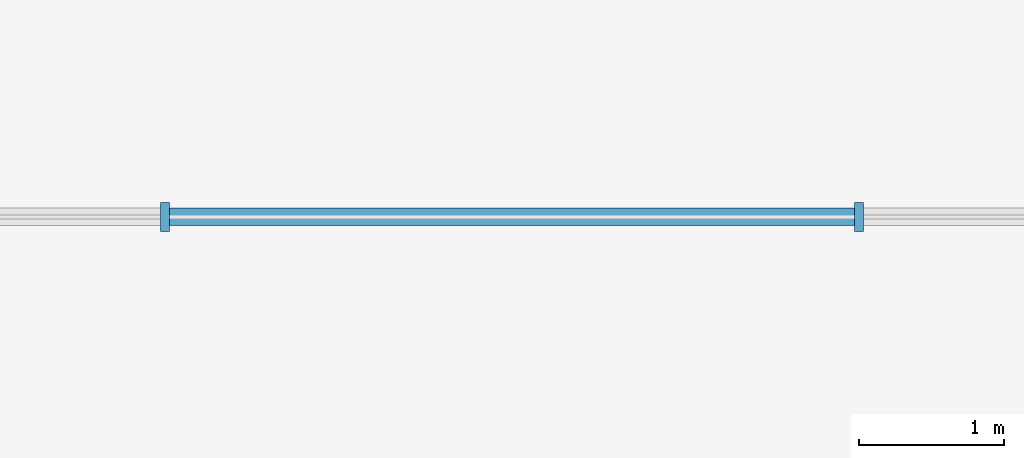
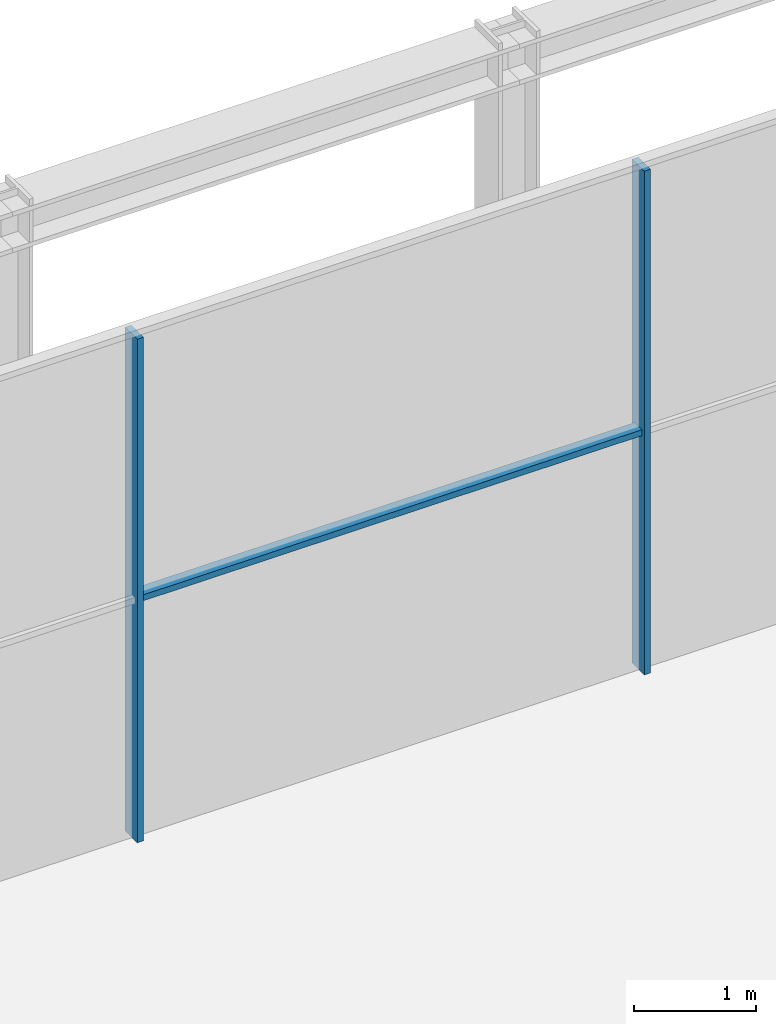
# One storey, part 12 of 26: 3 members, 1 element without a shape of its own.
"""IFC4 building model written with IfcOpenShell, lengths in metres."""

import ifcopenshell
import ifcopenshell.guid

model = None  # the IFC model being written
_history = None  # IfcOwnerHistory: only IFC2X3 demands one
_inside = {}  # id of a spatial element -> (the spatial element, [elements in it])
_under = {}  # id of a project, library or spatial element -> (it, [spatial elements below it])
_declared = {}  # id of a project -> (the project, [libraries it declares])
_typed = {}  # id of a type object -> (the type object, [elements of that type])
_made_of = {}  # id of a material, layer set ... -> (it, [elements and type objects made of it])


def new_model(schema):
    """Start an empty IFC model of exactly this schema.

    Asked for "IFC4X3", IfcOpenShell would pick the latest addendum, in which some entities
    have other attributes; the version numbers below select the first issue.
    IFC2X3 requires an IfcOwnerHistory on every rooted entity: one is made here for all.
    """
    global model, _history
    if schema == "IFC4X3":
        model = ifcopenshell.file(schema_version=(4, 3, 0, 0))
    else:
        model = ifcopenshell.file(schema=schema)
    _inside.clear()
    _under.clear()
    _declared.clear()
    _typed.clear()
    _made_of.clear()
    _history = None
    if model.schema == "IFC2X3":
        org = make("IfcOrganization", Name="unknown")
        user = make(
            "IfcPersonAndOrganization",
            ThePerson=make("IfcPerson", FamilyName="unknown"),
            TheOrganization=org,
        )
        app = make(
            "IfcApplication",
            ApplicationDeveloper=org,
            Version="unknown",
            ApplicationFullName="unknown",
            ApplicationIdentifier="unknown",
        )
        _history = make(
            "IfcOwnerHistory",
            OwningUser=user,
            OwningApplication=app,
            ChangeAction="ADDED",
            CreationDate=0,
        )
    return model


def make(cls, **values):
    """One entity of the class cls with the attributes given. An attribute that is None is left unset."""
    return model.create_entity(
        cls, **{name: value for name, value in values.items() if value is not None}
    )


def rooted(cls, **values):
    """An entity with a GlobalId (a new one), such as an element, a storey or a relation."""
    return make(cls, GlobalId=ifcopenshell.guid.new(), OwnerHistory=_history, **values)


def si_unit(unit_type, name, prefix=None):
    """IfcSIUnit, for example si_unit("LENGTHUNIT", "METRE", prefix="MILLI")."""
    return make("IfcSIUnit", UnitType=unit_type, Prefix=prefix, Name=name)


def assignment(units):
    """IfcUnitAssignment: the units of a project."""
    return None if units is None else make("IfcUnitAssignment", Units=units)


def point(xyz):
    """IfcCartesianPoint."""
    return None if xyz is None else make("IfcCartesianPoint", Coordinates=xyz)


def direction(xyz):
    """IfcDirection."""
    return None if xyz is None else make("IfcDirection", DirectionRatios=xyz)


def frame(location, z_axis=None, x_axis=None):
    """IfcAxis2Placement3D, a coordinate frame: its origin and axes. An axis left out is left unset."""
    return make(
        "IfcAxis2Placement3D",
        Location=point(location),
        Axis=direction(z_axis),
        RefDirection=direction(x_axis),
    )


def frame_2d(location, x_axis=None):
    """IfcAxis2Placement2D, a coordinate frame in the plane: its origin and x axis."""
    return make(
        "IfcAxis2Placement2D", Location=point(location), RefDirection=direction(x_axis)
    )


def origin():
    """The frame at (0, 0, 0) with its axes left unset."""
    return frame((0.0, 0.0, 0.0))


def origin_2d():
    """The frame at (0, 0) in the plane with its x axis left unset."""
    return frame_2d((0.0, 0.0))


def place(relative_to, where):
    """IfcLocalPlacement: puts the frame where relative to a parent placement (None: the world)."""
    return make(
        "IfcLocalPlacement", PlacementRelTo=relative_to, RelativePlacement=where
    )


def context(
    kind, dimensions, precision=None, world=None, true_north=None, identifier=None
):
    """IfcGeometricRepresentationContext, for example the 3D "Model" context."""
    return make(
        "IfcGeometricRepresentationContext",
        ContextIdentifier=identifier,
        ContextType=kind,
        CoordinateSpaceDimension=dimensions,
        Precision=precision,
        WorldCoordinateSystem=world,
        TrueNorth=true_north,
    )


def subcontext(parent, identifier, kind, view, scale=None):
    """IfcGeometricRepresentationSubContext, for example "Body" below "Model"."""
    return make(
        "IfcGeometricRepresentationSubContext",
        ContextIdentifier=identifier,
        ContextType=kind,
        ParentContext=parent,
        TargetScale=scale,
        TargetView=view,
    )


def project(units=None, contexts=None):
    """IfcProject with its units and contexts."""
    return rooted(
        "IfcProject",
        Name="project",
        RepresentationContexts=contexts,
        UnitsInContext=assignment(units),
    )


def spatial(cls, under=None, at=None, **own):
    """A site, building, storey or space (cls), placed at a placement, below another one or the project."""
    s = rooted(cls, ObjectPlacement=at, **own)
    if under is not None:
        _under.setdefault(under.id(), (under, []))[1].append(s)
    return s


def profile(cls, at=None, kind="AREA", **sizes):
    """A parametric profile (cls). Its sizes go by their IFC names, for example OverallWidth=200.0."""
    return make(cls, ProfileType=kind, Position=at, **sizes)


def rectangle(**sizes):
    """IfcRectangleProfileDef."""
    return profile("IfcRectangleProfileDef", **sizes)


def extrude(swept, where, along, depth):
    """IfcExtrudedAreaSolid: the profile swept, set in the frame where, extruded along a direction by depth."""
    return make(
        "IfcExtrudedAreaSolid",
        SweptArea=swept,
        Position=where,
        ExtrudedDirection=direction(along),
        Depth=depth,
    )


def shape(context_of_items, identifier, shape_type, items):
    """IfcShapeRepresentation: the items that make up one representation, for example the "Body"."""
    return make(
        "IfcShapeRepresentation",
        ContextOfItems=context_of_items,
        RepresentationIdentifier=identifier,
        RepresentationType=shape_type,
        Items=items,
    )


def material(Name=None, Category=None):
    """IfcMaterial."""
    return make("IfcMaterial", Name=Name, Category=Category)


def layer(
    of_material, thickness, ventilated=None, Name=None, Category=None, Priority=None
):
    """IfcMaterialLayer: one layer of a wall or slab, of a material (None: an air gap)."""
    return make(
        "IfcMaterialLayer",
        Material=of_material,
        LayerThickness=thickness,
        IsVentilated=ventilated,
        Name=Name,
        Category=Category,
        Priority=Priority,
    )


def layer_set(layers, Name=None):
    """IfcMaterialLayerSet."""
    return make("IfcMaterialLayerSet", MaterialLayers=layers, LayerSetName=Name)


def material_profile(
    of_material, cross_section, Name=None, Category=None, Priority=None
):
    """IfcMaterialProfile: a cross section and its material."""
    return make(
        "IfcMaterialProfile",
        Name=Name,
        Material=of_material,
        Profile=cross_section,
        Priority=Priority,
        Category=Category,
    )


def profile_set(profiles, Name=None, composite=None):
    """IfcMaterialProfileSet."""
    return make(
        "IfcMaterialProfileSet",
        Name=Name,
        MaterialProfiles=profiles,
        CompositeProfile=composite,
    )


def made_of(thing, what):
    """Note that an element or type object is made of a material, layer set ...; save() writes the relation."""
    if what is not None:
        _made_of.setdefault(what.id(), (what, []))[1].append(thing)
    return thing


def type_object(cls, material=None, **own):
    """A type object (cls), such as IfcWallType, which elements share."""
    return made_of(rooted(cls, **own), material)


def element(
    cls,
    number,
    at=None,
    inside=None,
    cuts=None,
    type_object=None,
    material=None,
    context=None,
    identifier="Body",
    shape_type=None,
    held_by="IfcProductDefinitionShape",
    body=None,
    shapes=None,
    **own,
):
    """One element of the class cls, such as IfcWall. Its Tag is "e" and its number.

    at: its placement. inside: the storey or other place that contains it. cuts: it is an
    opening in that element (IfcRelVoidsElement). A single representation is given by context,
    identifier, shape_type and body (its items); several are given by shapes. held_by: the class
    of the entity that holds the representations. save() writes the other relations.
    """
    e = rooted(cls, Tag="e%d" % number, ObjectPlacement=at, **own)
    if body is not None:
        shapes = [shape(context, identifier, shape_type, body)]
    if shapes is not None:
        e.Representation = make(held_by, Representations=shapes)
    if inside is not None:
        _inside.setdefault(inside.id(), (inside, []))[1].append(e)
    if cuts is not None:
        rooted(
            "IfcRelVoidsElement", RelatingBuildingElement=cuts, RelatedOpeningElement=e
        )
    if type_object is not None:
        _typed.setdefault(type_object.id(), (type_object, []))[1].append(e)
    return made_of(e, material)


def aggregate(whole, parts):
    """IfcRelAggregates: a whole, such as a stair, and the parts it consists of."""
    return rooted("IfcRelAggregates", RelatingObject=whole, RelatedObjects=parts)


def save(model, path):
    """Write the relations noted so far, then the file.

    IfcRelAggregates (storeys below a building ...), IfcRelContainedInSpatialStructure (elements
    in a storey), IfcRelDefinesByType, IfcRelAssociatesMaterial and IfcRelDeclares: one each for
    every whole, place, type object, material and project.
    """
    for whole, parts in _under.values():
        aggregate(whole, parts)
    for where, things in _inside.values():
        rooted(
            "IfcRelContainedInSpatialStructure",
            RelatedElements=things,
            RelatingStructure=where,
        )
    for kind, things in _typed.values():
        rooted("IfcRelDefinesByType", RelatedObjects=things, RelatingType=kind)
    for what, things in _made_of.values():
        rooted("IfcRelAssociatesMaterial", RelatedObjects=things, RelatingMaterial=what)
    for by, libraries in _declared.values():
        rooted("IfcRelDeclares", RelatingContext=by, RelatedDefinitions=libraries)
    model.write(path)


model = new_model("IFC4")

# Units and contexts
model_context = context("Model", 3, precision=1e-05, world=origin(), true_north=direction((0.0, 1.0)))
body_context = subcontext(model_context, "Body", "Model", "MODEL_VIEW")
ifc_project = project(units=[si_unit("LENGTHUNIT", "METRE"), si_unit("AREAUNIT", "SQUARE_METRE"), si_unit("VOLUMEUNIT", "CUBIC_METRE"), si_unit("PLANEANGLEUNIT", "RADIAN"), si_unit("MASSUNIT", "GRAM", prefix="KILO")], contexts=[model_context])

# Site, building, storey
site_placement = place(None, origin())
site = spatial("IfcSite", under=ifc_project, at=site_placement, CompositionType="ELEMENT")
building_placement = place(site_placement, origin())
building = spatial("IfcBuilding", under=site, at=building_placement, Name="Madar Terraces", CompositionType="ELEMENT")
storey_placement = place(building_placement, frame((0.0, 0.0, 233.300048828125)))
storey = spatial("IfcBuildingStorey", under=building, at=storey_placement, Name="L61", CompositionType="ELEMENT", Elevation=233.300048828125)

# Curtain wall, members
ifc_material_1 = material(Name="Glass, ceramic frit dark grey, with black aluminium frame", Category="aluminium")
ifc_layer = layer(ifc_material_1, 0.199951171875)
ifc_layer_set = layer_set([ifc_layer], Name="Facade curtain wall, tall glazing")
curtain_wall_type = type_object("IfcCurtainWallType", Name="Facade curtain wall, tall glazing", PredefinedType="NOTDEFINED", material=ifc_layer_set)
curtain_wall_placement = place(storey_placement, origin())
curtain_wall = element("IfcCurtainWall", 1, at=curtain_wall_placement, inside=storey, type_object=curtain_wall_type, Name="Outer skin curtain wall north bay 1", PredefinedType="NOTDEFINED")
ifc_material_2 = material(Name="Aluminium, black anodised", Category="aluminium")
ifc_material_profile_1 = material_profile(ifc_material_2, rectangle(XDim=0.199951171875, YDim=0.06005859375, at=origin_2d()), Name="Facade mullion 60x200")
ifc_profile_set_1 = profile_set([ifc_material_profile_1], Name="Aluminium, black anodised")
member_type_1 = type_object("IfcMemberType", Name="Facade mullion 60x200", PredefinedType="MULLION", material=ifc_profile_set_1)
member_1_placement = place(storey_placement, frame((28.800048828125, 50.60009765625, 0.0), z_axis=(0.0, 0.0, 1.0), x_axis=(0.0, -1.0, 0.0)))
member_1 = element("IfcMember", 2, at=member_1_placement, type_object=member_type_1, Name="Mullion 5", PredefinedType="MULLION", context=body_context, shape_type="SweptSolid", body=[
    extrude(rectangle(XDim=0.199951171875, YDim=0.06005859375, at=origin_2d()), origin(), (0.0, 0.0, 1.0), 5.0400390625),
])
member_2_placement = place(storey_placement, frame((24.0, 50.60009765625, 0.0), z_axis=(0.0, 0.0, 1.0), x_axis=(0.0, -1.0, 0.0)))
member_2 = element("IfcMember", 3, at=member_2_placement, type_object=member_type_1, Name="Mullion 6", PredefinedType="MULLION", context=body_context, shape_type="SweptSolid", body=[
    extrude(rectangle(XDim=0.199951171875, YDim=0.06005859375, at=origin_2d()), origin(), (0.0, 0.0, 1.0), 5.0400390625),
])
ifc_material_3 = material(Name="Aluminium, black anodised", Category="aluminium")
ifc_material_profile_2 = material_profile(ifc_material_3, rectangle(XDim=0.1201171875, YDim=0.06005859375, at=origin_2d()), Name="Facade transom 60x120")
ifc_profile_set_2 = profile_set([ifc_material_profile_2], Name="Aluminium, black anodised")
member_type_2 = type_object("IfcMemberType", Name="Facade transom 60x120", PredefinedType="USERDEFINED", material=ifc_profile_set_2)
member_3_placement = place(storey_placement, frame((28.77001953125, 50.60009765625, 2.39990234375), z_axis=(-1.0, 0.0, 0.0), x_axis=(0.0, -1.0, 0.0)))
member_3 = element("IfcMember", 4, at=member_3_placement, type_object=member_type_2, Name="Transom 7", ObjectType="TRANSOM", PredefinedType="USERDEFINED", context=body_context, shape_type="SweptSolid", body=[
    extrude(rectangle(XDim=0.1201171875, YDim=0.06005859375, at=origin_2d()), origin(), (0.0, 0.0, 1.0), 4.739990234375),
])
aggregate(curtain_wall, [member_1, member_2, member_3])

save(model, "model.ifc")
